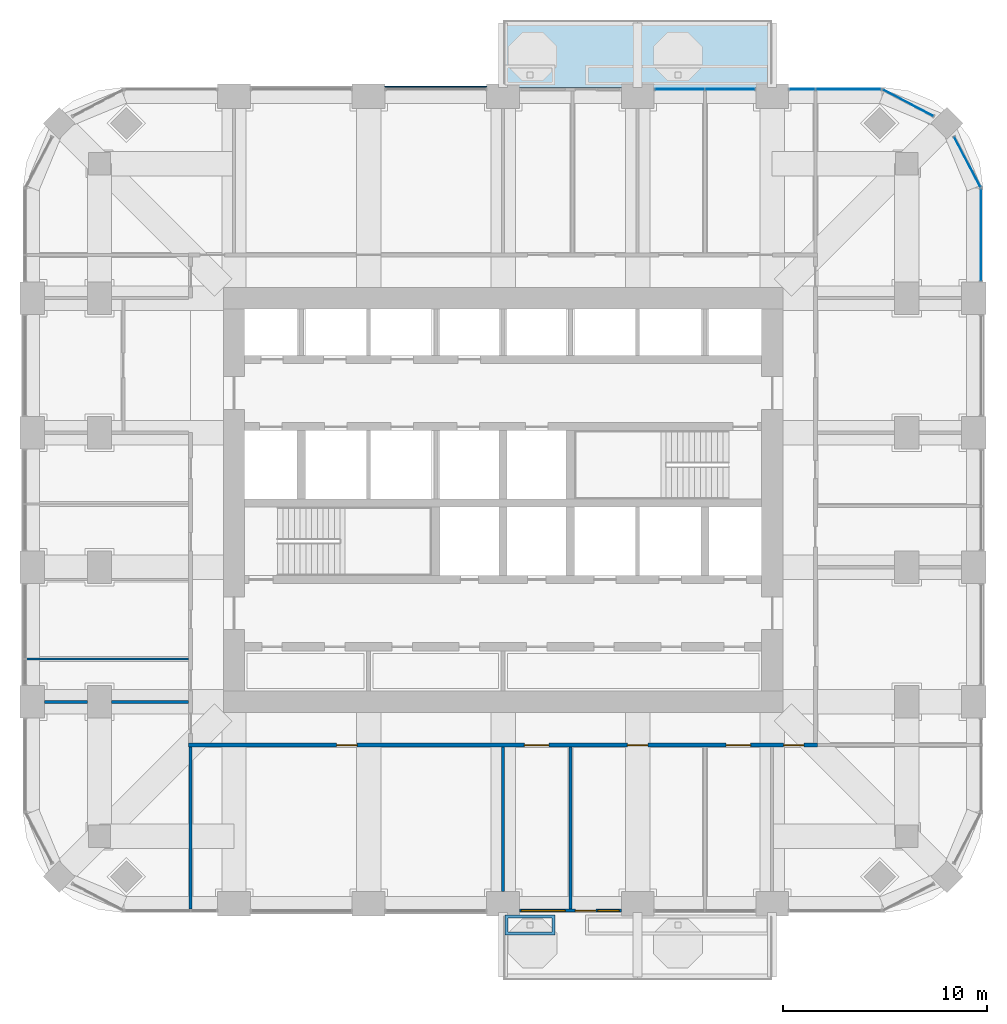
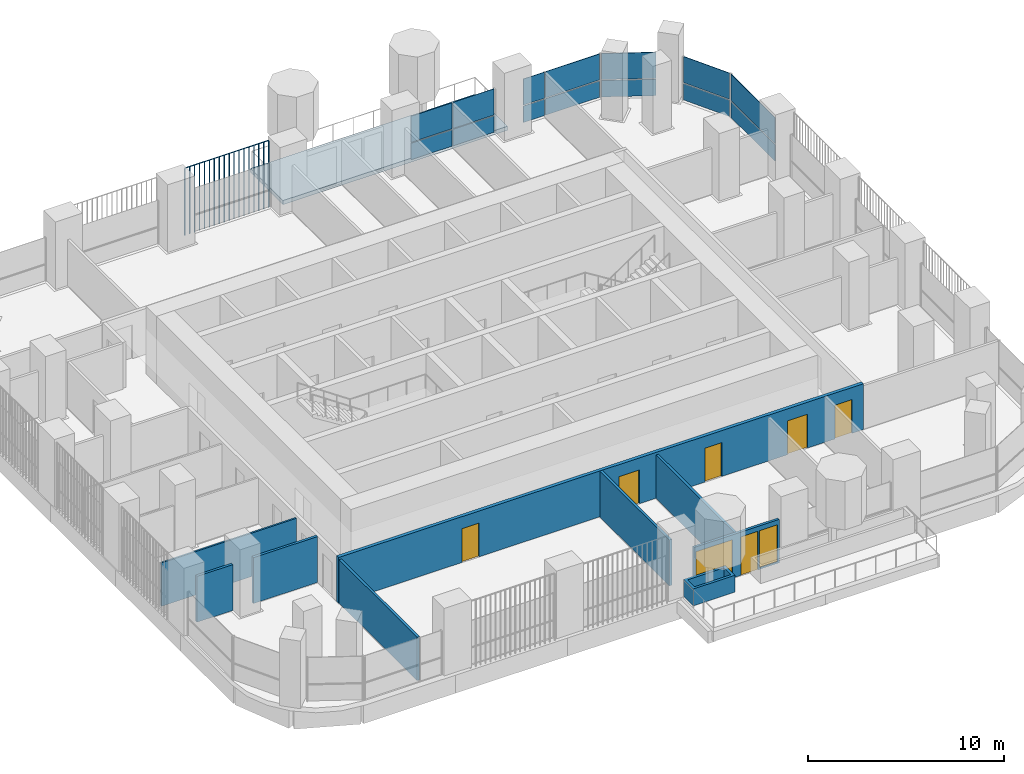
# One storey, part 12 of 19: 15 plates, 9 walls, 6 doors, 2 windows, 1 slab, 8 openings, 5 elements without a shape of their own.
"""IFC4 building model written with IfcOpenShell, lengths in metres."""

from ifc_helpers import new_model, si_unit, direction, frame, frame_2d, origin, origin_2d, place, context, subcontext, project, spatial, polyline, rectangle, outline, extrude, material, layer, layer_set, type_object, element, fill, aggregate, save


model = new_model("IFC4")

# Units and contexts
model_context = context("Model", 3, precision=1e-05, world=origin(), true_north=direction((0.0, 1.0)))
body_context = subcontext(model_context, "Body", "Model", "MODEL_VIEW")
ifc_project = project(units=[si_unit("LENGTHUNIT", "METRE"), si_unit("AREAUNIT", "SQUARE_METRE"), si_unit("VOLUMEUNIT", "CUBIC_METRE"), si_unit("PLANEANGLEUNIT", "RADIAN"), si_unit("MASSUNIT", "GRAM", prefix="KILO")], contexts=[model_context])

# Site, building, storey
site_placement = place(None, origin())
site = spatial("IfcSite", under=ifc_project, at=site_placement, CompositionType="ELEMENT")
building_placement = place(site_placement, origin())
building = spatial("IfcBuilding", under=site, at=building_placement, Name="Cobogo Forest Laboratory Tower", CompositionType="ELEMENT")
storey_placement = place(building_placement, frame((0.0, 0.0, 172.5)))
storey = spatial("IfcBuildingStorey", under=building, at=storey_placement, Name="L39", CompositionType="ELEMENT", Elevation=172.5)

# Slab
ifc_material_1 = material(Name="Concrete HA-40 (C40/50)", Category="concrete")
ifc_layer_1 = layer(ifc_material_1, 0.25)
ifc_layer_set_1 = layer_set([ifc_layer_1], Name="Balcony slab 250")
slab_type = type_object("IfcSlabType", Name="Balcony slab 250", PredefinedType="FLOOR", material=ifc_layer_set_1)
slab_placement = place(storey_placement, frame((0.0, 0.0, -0.25)))
element("IfcSlab", 1, at=slab_placement, inside=storey, type_object=slab_type, Name="Balcony BAL-N1 L39", PredefinedType="FLOOR", context=body_context, shape_type="SweptSolid", body=[
    extrude(outline(polyline([(26.39990234375, 43.35009765625), (39.60009765625, 43.35009765625), (39.60009765625, 46.64990234375), (26.39990234375, 46.64990234375), (26.39990234375, 43.35009765625)])), origin(), (0.0, 0.0, 1.0), 0.25),
])

# Curtain wall, plates
ifc_material_2 = material(Name="Aluminium curtain wall", Category="aluminium")
curtain_wall_type = type_object("IfcCurtainWallType", Name="CW-2 unitised curtain wall, solar control glazing, laboratory floors zones C and D", PredefinedType="USERDEFINED", material=ifc_material_2)
curtain_wall_1_placement = place(storey_placement, origin())
curtain_wall_1 = element("IfcCurtainWall", 2, at=curtain_wall_1_placement, inside=storey, type_object=curtain_wall_type, Name="Curtain wall 13 L39", ObjectType="UNITISED CURTAIN WALL", PredefinedType="USERDEFINED")
ifc_material_3 = material(Name="Solar control insulated glass", Category="glass")
ifc_layer_2 = layer(ifc_material_3, 0.031982421875)
ifc_layer_set_2 = layer_set([ifc_layer_2], Name="GP-2 solar control glass unit 32")
plate_type_1 = type_object("IfcPlateType", Name="GP-2 solar control glass unit 32", PredefinedType="CURTAIN_PANEL", material=ifc_layer_set_2)
plate_1_placement = place(storey_placement, frame((49.85009765625, 36.10009765625, 0.0), z_axis=(0.0, 0.0, 1.0), x_axis=(0.0, 1.0, 0.0)))
plate_1 = element("IfcPlate", 3, at=plate_1_placement, type_object=plate_type_1, Name="CW-2 panel 1.1", PredefinedType="CURTAIN_PANEL", context=body_context, shape_type="SweptSolid", body=[
    extrude(rectangle(XDim=4.47998046875, YDim=0.031982421875, at=origin_2d()), origin(), (0.0, 0.0, 1.0), 1.02001953125),
])
plate_2_placement = place(storey_placement, frame((49.85009765625, 36.10009765625, 1.079833984375), z_axis=(0.0, 0.0, 1.0), x_axis=(0.0, 1.0, 0.0)))
plate_2 = element("IfcPlate", 4, at=plate_2_placement, type_object=plate_type_1, Name="CW-2 panel 1.2", PredefinedType="CURTAIN_PANEL", context=body_context, shape_type="SweptSolid", body=[
    extrude(rectangle(XDim=4.47998046875, YDim=0.031982421875, at=origin_2d()), origin(), (0.0, 0.0, 1.0), 1.6201171875),
])
aggregate(curtain_wall_1, [plate_1, plate_2])

curtain_wall_2_placement = place(storey_placement, origin())
curtain_wall_2 = element("IfcCurtainWall", 5, at=curtain_wall_2_placement, inside=storey, type_object=curtain_wall_type, Name="Curtain wall 14 L39", ObjectType="UNITISED CURTAIN WALL", PredefinedType="USERDEFINED")
plate_3_placement = place(storey_placement, frame((49.181396484375, 39.675537109375, 0.0), z_axis=(0.0, 0.0, 1.0), x_axis=(-0.464283804832, 0.885686484356, 0.0)))
plate_3 = element("IfcPlate", 6, at=plate_3_placement, type_object=plate_type_1, Name="CW-2 panel 1.1", PredefinedType="CURTAIN_PANEL", context=body_context, shape_type="SweptSolid", body=[
    extrude(rectangle(XDim=2.76025390625, YDim=0.031982421875, at=origin_2d()), origin(), (0.0, 0.0, 1.0), 1.02001953125),
])
plate_4_placement = place(storey_placement, frame((49.181396484375, 39.675537109375, 1.079833984375), z_axis=(0.0, 0.0, 1.0), x_axis=(-0.464283804832, 0.885686484356, 0.0)))
plate_4 = element("IfcPlate", 7, at=plate_4_placement, type_object=plate_type_1, Name="CW-2 panel 1.2", PredefinedType="CURTAIN_PANEL", context=body_context, shape_type="SweptSolid", body=[
    extrude(rectangle(XDim=2.76025390625, YDim=0.031982421875, at=origin_2d()), origin(), (0.0, 0.0, 1.0), 1.6201171875),
])
aggregate(curtain_wall_2, [plate_3, plate_4])

curtain_wall_3_placement = place(storey_placement, origin())
curtain_wall_3 = element("IfcCurtainWall", 8, at=curtain_wall_3_placement, inside=storey, type_object=curtain_wall_type, Name="Curtain wall 15 L39", ObjectType="UNITISED CURTAIN WALL", PredefinedType="USERDEFINED")
plate_5_placement = place(storey_placement, frame((46.275634765625, 42.581298828125, 0.0), z_axis=(0.0, 0.0, 1.0), x_axis=(-0.885686484356, 0.464283804832, 0.0)))
plate_5 = element("IfcPlate", 9, at=plate_5_placement, type_object=plate_type_1, Name="CW-2 panel 1.1", PredefinedType="CURTAIN_PANEL", context=body_context, shape_type="SweptSolid", body=[
    extrude(rectangle(XDim=2.76025390625, YDim=0.031982421875, at=origin_2d()), origin(), (0.0, 0.0, 1.0), 1.02001953125),
])
plate_6_placement = place(storey_placement, frame((46.275634765625, 42.581298828125, 1.079833984375), z_axis=(0.0, 0.0, 1.0), x_axis=(-0.885686484356, 0.464283804832, 0.0)))
plate_6 = element("IfcPlate", 10, at=plate_6_placement, type_object=plate_type_1, Name="CW-2 panel 1.2", PredefinedType="CURTAIN_PANEL", context=body_context, shape_type="SweptSolid", body=[
    extrude(rectangle(XDim=2.76025390625, YDim=0.031982421875, at=origin_2d()), origin(), (0.0, 0.0, 1.0), 1.6201171875),
])
aggregate(curtain_wall_3, [plate_5, plate_6])

curtain_wall_4_placement = place(storey_placement, origin())
curtain_wall_4 = element("IfcCurtainWall", 11, at=curtain_wall_4_placement, inside=storey, type_object=curtain_wall_type, Name="Curtain wall 16 L39", ObjectType="UNITISED CURTAIN WALL", PredefinedType="USERDEFINED")
plate_7_placement = place(storey_placement, frame((43.347412109375, 43.25, 0.0), z_axis=(0.0, 0.0, 1.0), x_axis=(-1.0, 0.0, 0.0)))
plate_7 = element("IfcPlate", 12, at=plate_7_placement, type_object=plate_type_1, Name="CW-2 panel 1.1", PredefinedType="CURTAIN_PANEL", context=body_context, shape_type="SweptSolid", body=[
    extrude(rectangle(XDim=3.18505859375, YDim=0.031982421875, at=origin_2d()), origin(), (0.0, 0.0, 1.0), 1.02001953125),
])
plate_8_placement = place(storey_placement, frame((43.347412109375, 43.25, 1.079833984375), z_axis=(0.0, 0.0, 1.0), x_axis=(-1.0, 0.0, 0.0)))
plate_8 = element("IfcPlate", 13, at=plate_8_placement, type_object=plate_type_1, Name="CW-2 panel 1.2", PredefinedType="CURTAIN_PANEL", context=body_context, shape_type="SweptSolid", body=[
    extrude(rectangle(XDim=3.18505859375, YDim=0.031982421875, at=origin_2d()), origin(), (0.0, 0.0, 1.0), 1.6201171875),
])
plate_9_placement = place(storey_placement, frame((41.077392578125, 43.25, 0.0), z_axis=(0.0, 0.0, 1.0), x_axis=(-1.0, 0.0, 0.0)))
plate_9 = element("IfcPlate", 14, at=plate_9_placement, type_object=plate_type_1, Name="CW-2 panel 2.1", PredefinedType="CURTAIN_PANEL", context=body_context, shape_type="SweptSolid", body=[
    extrude(rectangle(XDim=1.235107421875, YDim=0.031982421875, at=origin_2d()), origin(), (0.0, 0.0, 1.0), 1.02001953125),
])
plate_10_placement = place(storey_placement, frame((41.077392578125, 43.25, 1.079833984375), z_axis=(0.0, 0.0, 1.0), x_axis=(-1.0, 0.0, 0.0)))
plate_10 = element("IfcPlate", 15, at=plate_10_placement, type_object=plate_type_1, Name="CW-2 panel 2.2", PredefinedType="CURTAIN_PANEL", context=body_context, shape_type="SweptSolid", body=[
    extrude(rectangle(XDim=1.235107421875, YDim=0.031982421875, at=origin_2d()), origin(), (0.0, 0.0, 1.0), 1.6201171875),
])
aggregate(curtain_wall_4, [plate_7, plate_8, plate_9, plate_10])

curtain_wall_5_placement = place(storey_placement, origin())
curtain_wall_5 = element("IfcCurtainWall", 16, at=curtain_wall_5_placement, inside=storey, type_object=curtain_wall_type, Name="Curtain wall 17 L39", ObjectType="UNITISED CURTAIN WALL", PredefinedType="USERDEFINED")
plate_11_placement = place(storey_placement, frame((37.534912109375, 43.25, 0.0), z_axis=(0.0, 0.0, 1.0), x_axis=(-1.0, 0.0, 0.0)))
plate_11 = element("IfcPlate", 17, at=plate_11_placement, type_object=plate_type_1, Name="CW-2 panel 1.1", PredefinedType="CURTAIN_PANEL", context=body_context, shape_type="SweptSolid", body=[
    extrude(rectangle(XDim=2.409912109375, YDim=0.031982421875, at=origin_2d()), origin(), (0.0, 0.0, 1.0), 1.02001953125),
])
plate_12_placement = place(storey_placement, frame((37.534912109375, 43.25, 1.079833984375), z_axis=(0.0, 0.0, 1.0), x_axis=(-1.0, 0.0, 0.0)))
plate_12 = element("IfcPlate", 18, at=plate_12_placement, type_object=plate_type_1, Name="CW-2 panel 1.2", PredefinedType="CURTAIN_PANEL", context=body_context, shape_type="SweptSolid", body=[
    extrude(rectangle(XDim=2.409912109375, YDim=0.031982421875, at=origin_2d()), origin(), (0.0, 0.0, 1.0), 1.6201171875),
])
plate_13_placement = place(storey_placement, frame((35.06494140625, 43.25, 0.0), z_axis=(0.0, 0.0, 1.0), x_axis=(-1.0, 0.0, 0.0)))
plate_13 = element("IfcPlate", 19, at=plate_13_placement, type_object=plate_type_1, Name="CW-2 panel 2.1", PredefinedType="CURTAIN_PANEL", context=body_context, shape_type="SweptSolid", body=[
    extrude(rectangle(XDim=2.409912109375, YDim=0.031982421875, at=origin_2d()), origin(), (0.0, 0.0, 1.0), 1.02001953125),
])
plate_14_placement = place(storey_placement, frame((35.06494140625, 43.25, 1.079833984375), z_axis=(0.0, 0.0, 1.0), x_axis=(-1.0, 0.0, 0.0)))
plate_14 = element("IfcPlate", 20, at=plate_14_placement, type_object=plate_type_1, Name="CW-2 panel 2.2", PredefinedType="CURTAIN_PANEL", context=body_context, shape_type="SweptSolid", body=[
    extrude(rectangle(XDim=2.409912109375, YDim=0.031982421875, at=origin_2d()), origin(), (0.0, 0.0, 1.0), 1.6201171875),
])
aggregate(curtain_wall_5, [plate_11, plate_12, plate_13, plate_14])

# Plate
ifc_material_4 = material(Name="Terracotta", Category="masonry")
plate_type_2 = type_object("IfcPlateType", Name="TB1 terracotta baguette screen", PredefinedType="USERDEFINED", material=ifc_material_4)
plate_15_placement = place(storey_placement, frame((20.63134765625, 43.3779296875, -0.14990234375)))
element("IfcPlate", 21, at=plate_15_placement, inside=storey, type_object=plate_type_2, Name="Baguette screen N2 L39", ObjectType="BAGUETTE SCREEN", PredefinedType="USERDEFINED", context=body_context, shape_type="SweptSolid", body=[
    extrude(outline(polyline([(0.02880859375, 0.011962890625), (0.011962890625, 0.02880859375), (-0.011962890625, 0.02880859375), (-0.02880859375, 0.011962890625), (-0.02880859375, -0.011962890625), (-0.011962890625, -0.02880859375), (0.011962890625, -0.02880859375), (0.02880859375, -0.011962890625), (0.02880859375, 0.011962890625)])), frame((0.0, 0.0, 4.168701171875), z_axis=(1.0, 0.0, 0.0), x_axis=(0.0, 1.0, 0.0)), (0.0, 0.0, 1.0), 4.9375),
    extrude(outline(polyline([(0.02880859375, 0.011962890625), (0.011962890625, 0.02880859375), (-0.011962890625, 0.02880859375), (-0.02880859375, 0.011962890625), (-0.02880859375, -0.011962890625), (-0.011962890625, -0.02880859375), (0.011962890625, -0.02880859375), (0.02880859375, -0.011962890625), (0.02880859375, 0.011962890625)])), origin(), (0.0, 0.0, 1.0), 4.137451171875),
    extrude(outline(polyline([(0.02880859375, 0.011962890625), (0.011962890625, 0.02880859375), (-0.011962890625, 0.02880859375), (-0.02880859375, 0.011962890625), (-0.02880859375, -0.011962890625), (-0.011962890625, -0.02880859375), (0.011962890625, -0.02880859375), (0.02880859375, -0.011962890625), (0.02880859375, 0.011962890625)])), frame((0.29052734375, 0.0, 0.0)), (0.0, 0.0, 1.0), 4.137451171875),
    extrude(outline(polyline([(0.02880859375, 0.011962890625), (0.011962890625, 0.02880859375), (-0.011962890625, 0.02880859375), (-0.02880859375, 0.011962890625), (-0.02880859375, -0.011962890625), (-0.011962890625, -0.02880859375), (0.011962890625, -0.02880859375), (0.02880859375, -0.011962890625), (0.02880859375, 0.011962890625)])), frame((0.580810546875, 0.0, 0.0)), (0.0, 0.0, 1.0), 4.137451171875),
    extrude(outline(polyline([(0.02880859375, 0.011962890625), (0.011962890625, 0.02880859375), (-0.011962890625, 0.02880859375), (-0.02880859375, 0.011962890625), (-0.02880859375, -0.011962890625), (-0.011962890625, -0.02880859375), (0.011962890625, -0.02880859375), (0.02880859375, -0.011962890625), (0.02880859375, 0.011962890625)])), frame((0.871337890625, 0.0, 0.0)), (0.0, 0.0, 1.0), 4.137451171875),
    extrude(outline(polyline([(0.02880859375, 0.011962890625), (0.011962890625, 0.02880859375), (-0.011962890625, 0.02880859375), (-0.02880859375, 0.011962890625), (-0.02880859375, -0.011962890625), (-0.011962890625, -0.02880859375), (0.011962890625, -0.02880859375), (0.02880859375, -0.011962890625), (0.02880859375, 0.011962890625)])), frame((1.161865234375, 0.0, 0.0)), (0.0, 0.0, 1.0), 4.137451171875),
    extrude(outline(polyline([(0.02880859375, 0.011962890625), (0.011962890625, 0.02880859375), (-0.011962890625, 0.02880859375), (-0.02880859375, 0.011962890625), (-0.02880859375, -0.011962890625), (-0.011962890625, -0.02880859375), (0.011962890625, -0.02880859375), (0.02880859375, -0.011962890625), (0.02880859375, 0.011962890625)])), frame((1.4521484375, 0.0, 0.0)), (0.0, 0.0, 1.0), 4.137451171875),
    extrude(outline(polyline([(0.02880859375, 0.011962890625), (0.011962890625, 0.02880859375), (-0.011962890625, 0.02880859375), (-0.02880859375, 0.011962890625), (-0.02880859375, -0.011962890625), (-0.011962890625, -0.02880859375), (0.011962890625, -0.02880859375), (0.02880859375, -0.011962890625), (0.02880859375, 0.011962890625)])), frame((1.74267578125, 0.0, 0.0)), (0.0, 0.0, 1.0), 4.137451171875),
    extrude(outline(polyline([(0.02880859375, 0.011962890625), (0.011962890625, 0.02880859375), (-0.011962890625, 0.02880859375), (-0.02880859375, 0.011962890625), (-0.02880859375, -0.011962890625), (-0.011962890625, -0.02880859375), (0.011962890625, -0.02880859375), (0.02880859375, -0.011962890625), (0.02880859375, 0.011962890625)])), frame((2.033203125, 0.0, 0.0)), (0.0, 0.0, 1.0), 4.137451171875),
    extrude(outline(polyline([(0.02880859375, 0.011962890625), (0.011962890625, 0.02880859375), (-0.011962890625, 0.02880859375), (-0.02880859375, 0.011962890625), (-0.02880859375, -0.011962890625), (-0.011962890625, -0.02880859375), (0.011962890625, -0.02880859375), (0.02880859375, -0.011962890625), (0.02880859375, 0.011962890625)])), frame((2.323486328125, 0.0, 0.0)), (0.0, 0.0, 1.0), 4.137451171875),
    extrude(outline(polyline([(0.02880859375, 0.011962890625), (0.011962890625, 0.02880859375), (-0.011962890625, 0.02880859375), (-0.02880859375, 0.011962890625), (-0.02880859375, -0.011962890625), (-0.011962890625, -0.02880859375), (0.011962890625, -0.02880859375), (0.02880859375, -0.011962890625), (0.02880859375, 0.011962890625)])), frame((2.614013671875, 0.0, 0.0)), (0.0, 0.0, 1.0), 4.137451171875),
    extrude(outline(polyline([(0.02880859375, 0.011962890625), (0.011962890625, 0.02880859375), (-0.011962890625, 0.02880859375), (-0.02880859375, 0.011962890625), (-0.02880859375, -0.011962890625), (-0.011962890625, -0.02880859375), (0.011962890625, -0.02880859375), (0.02880859375, -0.011962890625), (0.02880859375, 0.011962890625)])), frame((2.904296875, 0.0, 0.0)), (0.0, 0.0, 1.0), 4.137451171875),
    extrude(outline(polyline([(0.02880859375, 0.011962890625), (0.011962890625, 0.02880859375), (-0.011962890625, 0.02880859375), (-0.02880859375, 0.011962890625), (-0.02880859375, -0.011962890625), (-0.011962890625, -0.02880859375), (0.011962890625, -0.02880859375), (0.02880859375, -0.011962890625), (0.02880859375, 0.011962890625)])), frame((3.19482421875, 0.0, 0.0)), (0.0, 0.0, 1.0), 4.137451171875),
    extrude(outline(polyline([(0.02880859375, 0.011962890625), (0.011962890625, 0.02880859375), (-0.011962890625, 0.02880859375), (-0.02880859375, 0.011962890625), (-0.02880859375, -0.011962890625), (-0.011962890625, -0.02880859375), (0.011962890625, -0.02880859375), (0.02880859375, -0.011962890625), (0.02880859375, 0.011962890625)])), frame((3.4853515625, 0.0, 0.0)), (0.0, 0.0, 1.0), 4.137451171875),
    extrude(outline(polyline([(0.02880859375, 0.011962890625), (0.011962890625, 0.02880859375), (-0.011962890625, 0.02880859375), (-0.02880859375, 0.011962890625), (-0.02880859375, -0.011962890625), (-0.011962890625, -0.02880859375), (0.011962890625, -0.02880859375), (0.02880859375, -0.011962890625), (0.02880859375, 0.011962890625)])), frame((3.775634765625, 0.0, 0.0)), (0.0, 0.0, 1.0), 4.137451171875),
    extrude(outline(polyline([(0.02880859375, 0.011962890625), (0.011962890625, 0.02880859375), (-0.011962890625, 0.02880859375), (-0.02880859375, 0.011962890625), (-0.02880859375, -0.011962890625), (-0.011962890625, -0.02880859375), (0.011962890625, -0.02880859375), (0.02880859375, -0.011962890625), (0.02880859375, 0.011962890625)])), frame((4.066162109375, 0.0, 0.0)), (0.0, 0.0, 1.0), 4.137451171875),
    extrude(outline(polyline([(0.02880859375, 0.011962890625), (0.011962890625, 0.02880859375), (-0.011962890625, 0.02880859375), (-0.02880859375, 0.011962890625), (-0.02880859375, -0.011962890625), (-0.011962890625, -0.02880859375), (0.011962890625, -0.02880859375), (0.02880859375, -0.011962890625), (0.02880859375, 0.011962890625)])), frame((4.356689453125, 0.0, 0.0)), (0.0, 0.0, 1.0), 4.137451171875),
    extrude(outline(polyline([(0.02880859375, 0.011962890625), (0.011962890625, 0.02880859375), (-0.011962890625, 0.02880859375), (-0.02880859375, 0.011962890625), (-0.02880859375, -0.011962890625), (-0.011962890625, -0.02880859375), (0.011962890625, -0.02880859375), (0.02880859375, -0.011962890625), (0.02880859375, 0.011962890625)])), frame((4.64697265625, 0.0, 0.0)), (0.0, 0.0, 1.0), 4.137451171875),
    extrude(outline(polyline([(0.02880859375, 0.011962890625), (0.011962890625, 0.02880859375), (-0.011962890625, 0.02880859375), (-0.02880859375, 0.011962890625), (-0.02880859375, -0.011962890625), (-0.011962890625, -0.02880859375), (0.011962890625, -0.02880859375), (0.02880859375, -0.011962890625), (0.02880859375, 0.011962890625)])), frame((4.9375, 0.0, 0.0)), (0.0, 0.0, 1.0), 4.137451171875),
])

# Wall, openings, door, windows
ifc_material_5 = material(Name="Aluminium framed glazed screen", Category="aluminium")
ifc_layer_3 = layer(ifc_material_5, 0.14990234375)
ifc_layer_set_3 = layer_set([ifc_layer_3], Name="GS1 glazed door screen 150")
wall_type_1 = type_object("IfcWallType", Name="GS1 glazed door screen 150", PredefinedType="SOLIDWALL", material=ifc_layer_set_3)
wall_1_placement = place(storey_placement, frame((27.199951171875, 2.949951171875, 0.0), z_axis=(0.0, 0.0, 1.0), x_axis=(1.0, 0.0, 0.0)))
wall_1 = element("IfcWall", 22, at=wall_1_placement, inside=storey, type_object=wall_type_1, Name="Door screen BAL-S1 L39", PredefinedType="SOLIDWALL", context=body_context, shape_type="SweptSolid", body=[
    extrude(rectangle(XDim=5.0, YDim=0.14990234375, at=frame_2d((2.5, 0.0))), origin(), (0.0, 0.0, 1.0), 2.699951171875),
])
opening_1_placement = place(wall_1_placement, frame((2.75, 0.0, 0.0)))
opening_1 = element("IfcOpeningElement", 23, at=opening_1_placement, cuts=wall_1, Name="Opening L39-D01", PredefinedType="OPENING", context=body_context, shape_type="SweptSolid", body=[
    extrude(rectangle(XDim=1.0, YDim=2.39990234375, at=frame_2d((0.5, 1.199951171875))), frame((0.0, 0.0849609375, 0.0), z_axis=(0.0, -1.0, 0.0), x_axis=(1.0, 0.0, 0.0)), (0.0, 0.0, 1.0), 0.169921875),
])
opening_2_placement = place(wall_1_placement, frame((0.10009765625, 0.0, 0.10009765625)))
opening_2 = element("IfcOpeningElement", 24, at=opening_2_placement, cuts=wall_1, Name="Opening L39-W01", PredefinedType="OPENING", context=body_context, shape_type="SweptSolid", body=[
    extrude(rectangle(XDim=2.14990234375, YDim=2.300048828125, at=frame_2d((1.074951171875, 1.14990234375))), frame((0.0, 0.0849609375, 0.0), z_axis=(0.0, -1.0, 0.0), x_axis=(1.0, 0.0, 0.0)), (0.0, 0.0, 1.0), 0.169921875),
])
opening_3_placement = place(wall_1_placement, frame((3.85009765625, 0.0, 0.10009765625)))
opening_3 = element("IfcOpeningElement", 25, at=opening_3_placement, cuts=wall_1, Name="Opening L39-W02", PredefinedType="OPENING", context=body_context, shape_type="SweptSolid", body=[
    extrude(rectangle(XDim=1.050048828125, YDim=2.300048828125, at=frame_2d((0.52490234375, 1.14990234375))), frame((0.0, 0.0849609375, 0.0), z_axis=(0.0, -1.0, 0.0), x_axis=(1.0, 0.0, 0.0)), (0.0, 0.0, 1.0), 0.169921875),
])
ifc_material_6 = material(Name="Aluminium glazed door", Category="aluminium")
door_type_1 = type_object("IfcDoorType", Name="DB1 balcony door 1000 glazed", OperationType="SINGLE_SWING_LEFT", PredefinedType="DOOR", material=ifc_material_6)
door_1_placement = place(opening_1_placement, origin())
door_1 = element("IfcDoor", 26, at=door_1_placement, inside=storey, type_object=door_type_1, Name="Door L39-BAL-S1", OperationType="SINGLE_SWING_RIGHT", OverallHeight=2.39990234375, OverallWidth=1.0, PredefinedType="DOOR", context=body_context, shape_type="SweptSolid", body=[
    extrude(rectangle(XDim=1.0, YDim=2.39990234375, at=frame_2d((0.5, 1.199951171875))), frame((0.0, 0.02490234375, 0.0), z_axis=(0.0, -1.0, 0.0), x_axis=(1.0, 0.0, 0.0)), (0.0, 0.0, 1.0), 0.050048828125),
])
fill(opening_1, door_1)
ifc_material_7 = material(Name="Aluminium framed glazing", Category="aluminium")
window_type_1 = type_object("IfcWindowType", Name="WG13 fixed glazed light 2150x2300", PartitioningType="SINGLE_PANEL", PredefinedType="WINDOW", material=ifc_material_7)
window_1_placement = place(opening_2_placement, origin())
window_1 = element("IfcWindow", 27, at=window_1_placement, inside=storey, type_object=window_type_1, Name="Window L39-BAL-S1-1", OverallHeight=2.300048828125, OverallWidth=2.14990234375, PartitioningType="SINGLE_PANEL", PredefinedType="WINDOW", context=body_context, shape_type="SweptSolid", body=[
    extrude(rectangle(XDim=2.14990234375, YDim=2.300048828125, at=frame_2d((1.074951171875, 1.14990234375))), frame((0.0, 0.030029296875, 0.0), z_axis=(0.0, -1.0, 0.0), x_axis=(1.0, 0.0, 0.0)), (0.0, 0.0, 1.0), 0.06005859375),
])
fill(opening_2, window_1)
window_type_2 = type_object("IfcWindowType", Name="WG14 fixed glazed light 1050x2300", PartitioningType="SINGLE_PANEL", PredefinedType="WINDOW", material=ifc_material_7)
window_2_placement = place(opening_3_placement, origin())
window_2 = element("IfcWindow", 28, at=window_2_placement, inside=storey, type_object=window_type_2, Name="Window L39-BAL-S1-2", OverallHeight=2.300048828125, OverallWidth=1.050048828125, PartitioningType="SINGLE_PANEL", PredefinedType="WINDOW", context=body_context, shape_type="SweptSolid", body=[
    extrude(rectangle(XDim=1.050048828125, YDim=2.300048828125, at=frame_2d((0.52490234375, 1.14990234375))), frame((0.0, 0.030029296875, 0.0), z_axis=(0.0, -1.0, 0.0), x_axis=(1.0, 0.0, 0.0)), (0.0, 0.0, 1.0), 0.06005859375),
])
fill(opening_3, window_2)

# Walls
ifc_material_8 = material(Name="Gypsum board on steel studs", Category="steel")
ifc_layer_4 = layer(ifc_material_8, 0.14990234375)
ifc_layer_set_4 = layer_set([ifc_layer_4], Name="PT1 laboratory partition 150")
wall_type_2 = type_object("IfcWallType", Name="PT1 laboratory partition 150", PredefinedType="PARTITIONING", material=ifc_layer_set_4)
wall_2_placement = place(storey_placement, frame((11.074951171875, 3.030029296875, 0.0), z_axis=(0.0, 0.0, 1.0), x_axis=(0.0, 1.0, 0.0)))
element("IfcWall", 29, at=wall_2_placement, inside=storey, type_object=wall_type_2, Name="Partition PW-SW L39", PredefinedType="PARTITIONING", context=body_context, shape_type="SweptSolid", body=[
    extrude(rectangle(XDim=7.945068359375, YDim=0.14990234375, at=frame_2d((3.97265625, 0.0))), origin(), (0.0, 0.0, 1.0), 2.699951171875),
])
wall_3_placement = place(storey_placement, frame((26.39990234375, 3.89990234375, 0.0), z_axis=(0.0, 0.0, 1.0), x_axis=(0.0, 1.0, 0.0)))
element("IfcWall", 30, at=wall_3_placement, inside=storey, type_object=wall_type_2, Name="Partition CUT-S26.4-1 L39", PredefinedType="PARTITIONING", context=body_context, shape_type="SweptSolid", body=[
    extrude(rectangle(XDim=7.0751953125, YDim=0.14990234375, at=frame_2d((3.53759765625, 0.0))), origin(), (0.0, 0.0, 1.0), 2.85009765625),
])
wall_4_placement = place(storey_placement, frame((29.699951171875, 3.030029296875, 0.0), z_axis=(0.0, 0.0, 1.0), x_axis=(0.0, 1.0, 0.0)))
element("IfcWall", 31, at=wall_4_placement, inside=storey, type_object=wall_type_2, Name="Partition CUT-S29.7-1 L39", PredefinedType="PARTITIONING", context=body_context, shape_type="SweptSolid", body=[
    extrude(rectangle(XDim=7.945068359375, YDim=0.14990234375, at=frame_2d((3.97265625, 0.0))), origin(), (0.0, 0.0, 1.0), 2.699951171875),
])
wall_5_placement = place(storey_placement, frame((3.89990234375, 13.199951171875, 0.0), z_axis=(0.0, 0.0, 1.0), x_axis=(1.0, 0.0, 0.0)))
element("IfcWall", 32, at=wall_5_placement, inside=storey, type_object=wall_type_2, Name="Partition CUT-W13.2-1 L39", PredefinedType="PARTITIONING", context=body_context, shape_type="SweptSolid", body=[
    extrude(rectangle(XDim=2.10009765625, YDim=0.14990234375, at=frame_2d((1.050048828125, 0.0))), origin(), (0.0, 0.0, 1.0), 2.85009765625),
])
wall_6_placement = place(storey_placement, frame((7.199951171875, 13.199951171875, 0.0), z_axis=(0.0, 0.0, 1.0), x_axis=(1.0, 0.0, 0.0)))
element("IfcWall", 33, at=wall_6_placement, inside=storey, type_object=wall_type_2, Name="Partition CUT-W13.2-2 L39", PredefinedType="PARTITIONING", context=body_context, shape_type="SweptSolid", body=[
    extrude(rectangle(XDim=3.775146484375, YDim=0.14990234375, at=frame_2d((1.8876953125, 0.0))), origin(), (0.0, 0.0, 1.0), 2.85009765625),
])

# Wall, openings, doors
ifc_layer_5 = layer(ifc_material_8, 0.199951171875)
ifc_layer_set_5 = layer_set([ifc_layer_5], Name="PT2 fire-rated corridor partition 200")
wall_type_3 = type_object("IfcWallType", Name="PT2 fire-rated corridor partition 200", PredefinedType="PARTITIONING", material=ifc_layer_set_5)
wall_7_placement = place(storey_placement, frame((10.97509765625, 11.074951171875, 0.0), z_axis=(0.0, 0.0, 1.0), x_axis=(1.0, 0.0, 0.0)))
wall_7 = element("IfcWall", 34, at=wall_7_placement, inside=storey, type_object=wall_type_3, Name="Partition CORR-S L39", PredefinedType="PARTITIONING", context=body_context, shape_type="SweptSolid", body=[
    extrude(rectangle(XDim=30.849853515625, YDim=0.199951171875, at=frame_2d((15.4248046875, 0.0))), origin(), (0.0, 0.0, 1.0), 2.85009765625),
])
opening_4_placement = place(wall_7_placement, frame((7.262451171875, 0.0, 0.0)))
opening_4 = element("IfcOpeningElement", 35, at=opening_4_placement, cuts=wall_7, Name="Opening L39-D02", PredefinedType="OPENING", context=body_context, shape_type="SweptSolid", body=[
    extrude(rectangle(XDim=1.0, YDim=2.10009765625, at=frame_2d((0.5, 1.050048828125))), frame((0.0, 0.10986328125, 0.0), z_axis=(0.0, -1.0, 0.0), x_axis=(1.0, 0.0, 0.0)), (0.0, 0.0, 1.0), 0.219970703125),
])
opening_5_placement = place(wall_7_placement, frame((16.47509765625, 0.0, 0.0)))
opening_5 = element("IfcOpeningElement", 36, at=opening_5_placement, cuts=wall_7, Name="Opening L39-D03", PredefinedType="OPENING", context=body_context, shape_type="SweptSolid", body=[
    extrude(rectangle(XDim=1.199951171875, YDim=2.10009765625, at=frame_2d((0.60009765625, 1.050048828125))), frame((0.0, 0.10986328125, 0.0), z_axis=(0.0, -1.0, 0.0), x_axis=(1.0, 0.0, 0.0)), (0.0, 0.0, 1.0), 0.219970703125),
])
opening_6_placement = place(wall_7_placement, frame((21.52490234375, 0.0, 0.0)))
opening_6 = element("IfcOpeningElement", 37, at=opening_6_placement, cuts=wall_7, Name="Opening L39-D04", PredefinedType="OPENING", context=body_context, shape_type="SweptSolid", body=[
    extrude(rectangle(XDim=1.0, YDim=2.10009765625, at=frame_2d((0.5, 1.050048828125))), frame((0.0, 0.10986328125, 0.0), z_axis=(0.0, -1.0, 0.0), x_axis=(1.0, 0.0, 0.0)), (0.0, 0.0, 1.0), 0.219970703125),
])
opening_7_placement = place(wall_7_placement, frame((26.375, 0.0, 0.0)))
opening_7 = element("IfcOpeningElement", 38, at=opening_7_placement, cuts=wall_7, Name="Opening L39-D05", PredefinedType="OPENING", context=body_context, shape_type="SweptSolid", body=[
    extrude(rectangle(XDim=1.199951171875, YDim=2.10009765625, at=frame_2d((0.60009765625, 1.050048828125))), frame((0.0, 0.10986328125, 0.0), z_axis=(0.0, -1.0, 0.0), x_axis=(1.0, 0.0, 0.0)), (0.0, 0.0, 1.0), 0.219970703125),
])
opening_8_placement = place(wall_7_placement, frame((29.1875, 0.0, 0.0)))
opening_8 = element("IfcOpeningElement", 39, at=opening_8_placement, cuts=wall_7, Name="Opening L39-D06", PredefinedType="OPENING", context=body_context, shape_type="SweptSolid", body=[
    extrude(rectangle(XDim=1.0, YDim=2.10009765625, at=frame_2d((0.5, 1.050048828125))), frame((0.0, 0.10986328125, 0.0), z_axis=(0.0, -1.0, 0.0), x_axis=(1.0, 0.0, 0.0)), (0.0, 0.0, 1.0), 0.219970703125),
])
ifc_material_9 = material(Name="Timber door", Category="wood")
door_type_2 = type_object("IfcDoorType", Name="D2 laboratory door 1200 unequal pair", OperationType="DOUBLE_DOOR_SINGLE_SWING", PredefinedType="DOOR", material=ifc_material_9)
door_2_placement = place(opening_5_placement, origin())
door_2 = element("IfcDoor", 40, at=door_2_placement, inside=storey, type_object=door_type_2, Name="Door L39-S2", OperationType="DOUBLE_DOOR_SINGLE_SWING", OverallHeight=2.10009765625, OverallWidth=1.199951171875, PredefinedType="DOOR", context=body_context, shape_type="SweptSolid", body=[
    extrude(rectangle(XDim=1.199951171875, YDim=2.10009765625, at=frame_2d((0.60009765625, 1.050048828125))), frame((0.0, 0.02490234375, 0.0), z_axis=(0.0, -1.0, 0.0), x_axis=(1.0, 0.0, 0.0)), (0.0, 0.0, 1.0), 0.050048828125),
])
fill(opening_5, door_2)
door_3_placement = place(opening_7_placement, origin())
door_3 = element("IfcDoor", 41, at=door_3_placement, inside=storey, type_object=door_type_2, Name="Door L39-S4", OperationType="DOUBLE_DOOR_SINGLE_SWING", OverallHeight=2.10009765625, OverallWidth=1.199951171875, PredefinedType="DOOR", context=body_context, shape_type="SweptSolid", body=[
    extrude(rectangle(XDim=1.199951171875, YDim=2.10009765625, at=frame_2d((0.60009765625, 1.050048828125))), frame((0.0, 0.02490234375, 0.0), z_axis=(0.0, -1.0, 0.0), x_axis=(1.0, 0.0, 0.0)), (0.0, 0.0, 1.0), 0.050048828125),
])
fill(opening_7, door_3)
ifc_material_10 = material(Name="Timber fire door", Category="wood")
door_type_3 = type_object("IfcDoorType", Name="FD2 fire door 1000 EI2 30", OperationType="SINGLE_SWING_LEFT", PredefinedType="DOOR", material=ifc_material_10)
door_4_placement = place(opening_4_placement, origin())
door_4 = element("IfcDoor", 42, at=door_4_placement, inside=storey, type_object=door_type_3, Name="Door L39-S1", OperationType="SINGLE_SWING_LEFT", OverallHeight=2.10009765625, OverallWidth=1.0, PredefinedType="DOOR", context=body_context, shape_type="SweptSolid", body=[
    extrude(rectangle(XDim=1.0, YDim=2.10009765625, at=frame_2d((0.5, 1.050048828125))), frame((0.0, 0.02490234375, 0.0), z_axis=(0.0, -1.0, 0.0), x_axis=(1.0, 0.0, 0.0)), (0.0, 0.0, 1.0), 0.050048828125),
])
fill(opening_4, door_4)
door_5_placement = place(opening_6_placement, origin())
door_5 = element("IfcDoor", 43, at=door_5_placement, inside=storey, type_object=door_type_3, Name="Door L39-S3", OperationType="SINGLE_SWING_RIGHT", OverallHeight=2.10009765625, OverallWidth=1.0, PredefinedType="DOOR", context=body_context, shape_type="SweptSolid", body=[
    extrude(rectangle(XDim=1.0, YDim=2.10009765625, at=frame_2d((0.5, 1.050048828125))), frame((0.0, 0.02490234375, 0.0), z_axis=(0.0, -1.0, 0.0), x_axis=(1.0, 0.0, 0.0)), (0.0, 0.0, 1.0), 0.050048828125),
])
fill(opening_6, door_5)
door_6_placement = place(opening_8_placement, origin())
door_6 = element("IfcDoor", 44, at=door_6_placement, inside=storey, type_object=door_type_3, Name="Door L39-S5", OperationType="SINGLE_SWING_RIGHT", OverallHeight=2.10009765625, OverallWidth=1.0, PredefinedType="DOOR", context=body_context, shape_type="SweptSolid", body=[
    extrude(rectangle(XDim=1.0, YDim=2.10009765625, at=frame_2d((0.5, 1.050048828125))), frame((0.0, 0.02490234375, 0.0), z_axis=(0.0, -1.0, 0.0), x_axis=(1.0, 0.0, 0.0)), (0.0, 0.0, 1.0), 0.050048828125),
])
fill(opening_8, door_6)

# Walls
ifc_layer_6 = layer(ifc_material_8, 0.10009765625)
ifc_layer_set_6 = layer_set([ifc_layer_6], Name="PT3 toilet partition 100")
wall_type_4 = type_object("IfcWallType", Name="PT3 toilet partition 100", PredefinedType="PARTITIONING", material=ifc_layer_set_6)
wall_8_placement = place(storey_placement, frame((3.030029296875, 15.300048828125, 0.0), z_axis=(0.0, 0.0, 1.0), x_axis=(1.0, 0.0, 0.0)))
element("IfcWall", 45, at=wall_8_placement, inside=storey, type_object=wall_type_4, Name="Partition SVC-W1-1 L39", PredefinedType="PARTITIONING", context=body_context, shape_type="SweptSolid", body=[
    extrude(rectangle(XDim=7.945068359375, YDim=0.10009765625, at=frame_2d((3.97265625, 0.0))), origin(), (0.0, 0.0, 1.0), 2.699951171875),
])
ifc_layer_7 = layer(ifc_material_1, 0.14990234375)
ifc_layer_set_7 = layer_set([ifc_layer_7], Name="Planter box 1000x1050")
wall_type_5 = type_object("IfcWallType", Name="Planter box 1000x1050", PredefinedType="USERDEFINED", material=ifc_layer_set_7)
wall_9_placement = place(storey_placement, origin())
element("IfcWall", 46, at=wall_9_placement, inside=storey, type_object=wall_type_5, Name="Planter BAL-S1-1 L39", ObjectType="PLANTER", PredefinedType="USERDEFINED", context=body_context, shape_type="SweptSolid", body=[
    extrude(outline(polyline([(26.5, 1.75), (28.949951171875, 1.75), (28.949951171875, 2.75), (26.5, 2.75), (26.5, 1.75)]), holes=[polyline([(26.64990234375, 1.89990234375), (28.800048828125, 1.89990234375), (28.800048828125, 2.60009765625), (26.64990234375, 2.60009765625), (26.64990234375, 1.89990234375)])]), origin(), (0.0, 0.0, 1.0), 1.050048828125),
])

save(model, "model.ifc")
